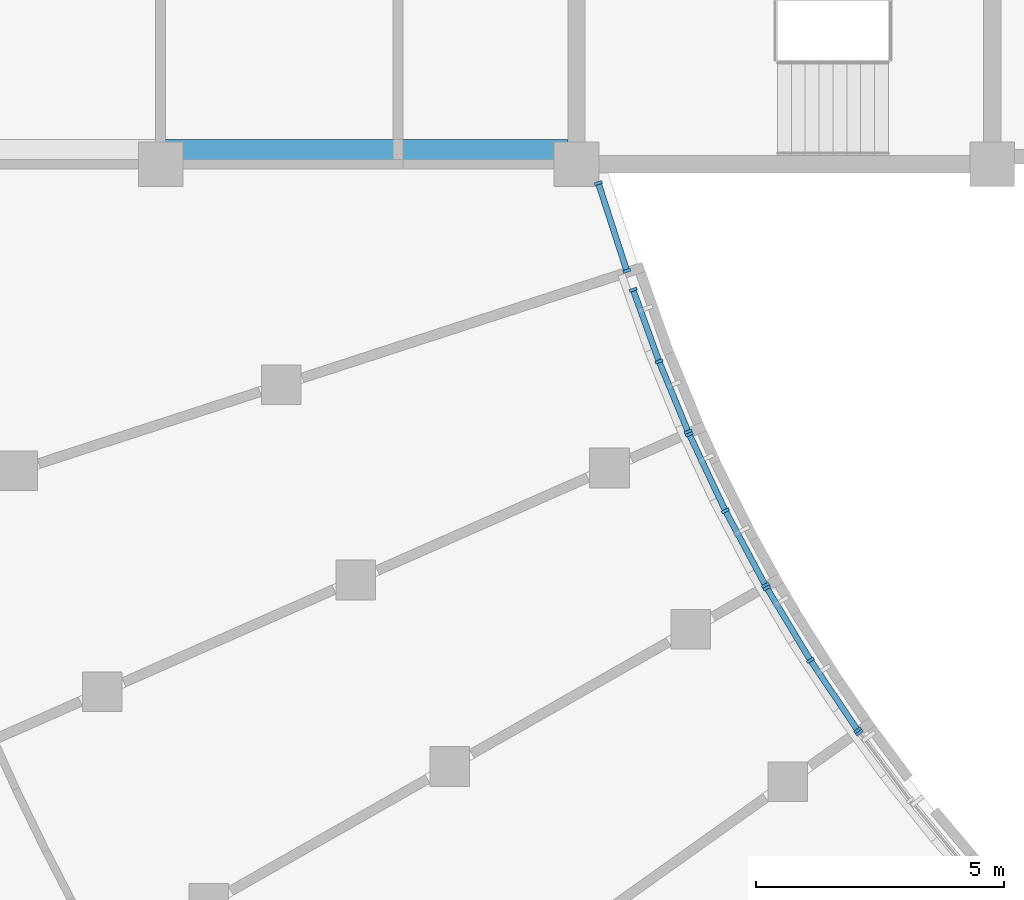
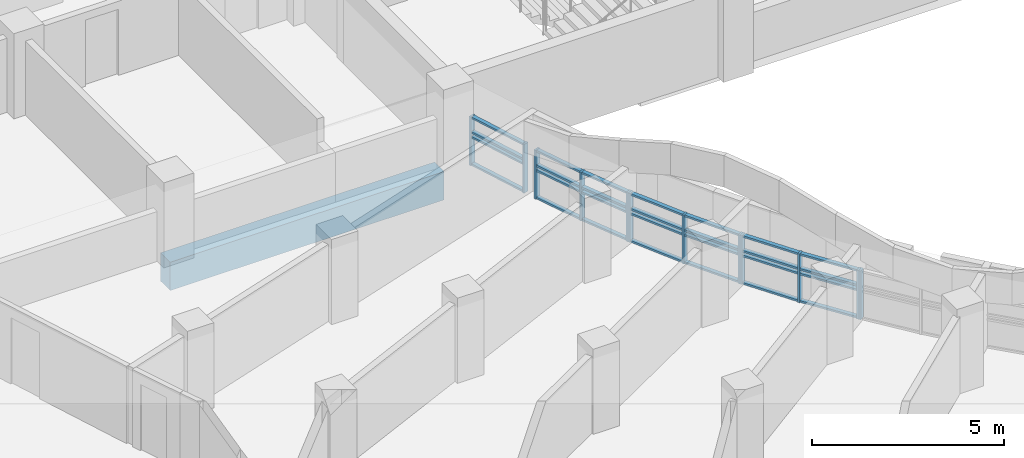
# One storey, part 14 of 89: 40 members, 1 beam, 5 elements without a shape of their own.
"""IFC4 building model written with IfcOpenShell, lengths in metres."""

import ifcopenshell
import ifcopenshell.guid

model = None  # the IFC model being written
_history = None  # IfcOwnerHistory: only IFC2X3 demands one
_inside = {}  # id of a spatial element -> (the spatial element, [elements in it])
_under = {}  # id of a project, library or spatial element -> (it, [spatial elements below it])
_declared = {}  # id of a project -> (the project, [libraries it declares])
_typed = {}  # id of a type object -> (the type object, [elements of that type])
_made_of = {}  # id of a material, layer set ... -> (it, [elements and type objects made of it])


def new_model(schema):
    """Start an empty IFC model of exactly this schema.

    Asked for "IFC4X3", IfcOpenShell would pick the latest addendum, in which some entities
    have other attributes; the version numbers below select the first issue.
    IFC2X3 requires an IfcOwnerHistory on every rooted entity: one is made here for all.
    """
    global model, _history
    if schema == "IFC4X3":
        model = ifcopenshell.file(schema_version=(4, 3, 0, 0))
    else:
        model = ifcopenshell.file(schema=schema)
    _inside.clear()
    _under.clear()
    _declared.clear()
    _typed.clear()
    _made_of.clear()
    _history = None
    if model.schema == "IFC2X3":
        org = make("IfcOrganization", Name="unknown")
        user = make(
            "IfcPersonAndOrganization",
            ThePerson=make("IfcPerson", FamilyName="unknown"),
            TheOrganization=org,
        )
        app = make(
            "IfcApplication",
            ApplicationDeveloper=org,
            Version="unknown",
            ApplicationFullName="unknown",
            ApplicationIdentifier="unknown",
        )
        _history = make(
            "IfcOwnerHistory",
            OwningUser=user,
            OwningApplication=app,
            ChangeAction="ADDED",
            CreationDate=0,
        )
    return model


def make(cls, **values):
    """One entity of the class cls with the attributes given. An attribute that is None is left unset."""
    return model.create_entity(
        cls, **{name: value for name, value in values.items() if value is not None}
    )


def rooted(cls, **values):
    """An entity with a GlobalId (a new one), such as an element, a storey or a relation."""
    return make(cls, GlobalId=ifcopenshell.guid.new(), OwnerHistory=_history, **values)


def si_unit(unit_type, name, prefix=None):
    """IfcSIUnit, for example si_unit("LENGTHUNIT", "METRE", prefix="MILLI")."""
    return make("IfcSIUnit", UnitType=unit_type, Prefix=prefix, Name=name)


def assignment(units):
    """IfcUnitAssignment: the units of a project."""
    return None if units is None else make("IfcUnitAssignment", Units=units)


def point(xyz):
    """IfcCartesianPoint."""
    return None if xyz is None else make("IfcCartesianPoint", Coordinates=xyz)


def direction(xyz):
    """IfcDirection."""
    return None if xyz is None else make("IfcDirection", DirectionRatios=xyz)


def frame(location, z_axis=None, x_axis=None):
    """IfcAxis2Placement3D, a coordinate frame: its origin and axes. An axis left out is left unset."""
    return make(
        "IfcAxis2Placement3D",
        Location=point(location),
        Axis=direction(z_axis),
        RefDirection=direction(x_axis),
    )


def frame_2d(location, x_axis=None):
    """IfcAxis2Placement2D, a coordinate frame in the plane: its origin and x axis."""
    return make(
        "IfcAxis2Placement2D", Location=point(location), RefDirection=direction(x_axis)
    )


def origin():
    """The frame at (0, 0, 0) with its axes left unset."""
    return frame((0.0, 0.0, 0.0))


def origin_2d():
    """The frame at (0, 0) in the plane with its x axis left unset."""
    return frame_2d((0.0, 0.0))


def place(relative_to, where):
    """IfcLocalPlacement: puts the frame where relative to a parent placement (None: the world)."""
    return make(
        "IfcLocalPlacement", PlacementRelTo=relative_to, RelativePlacement=where
    )


def context(
    kind, dimensions, precision=None, world=None, true_north=None, identifier=None
):
    """IfcGeometricRepresentationContext, for example the 3D "Model" context."""
    return make(
        "IfcGeometricRepresentationContext",
        ContextIdentifier=identifier,
        ContextType=kind,
        CoordinateSpaceDimension=dimensions,
        Precision=precision,
        WorldCoordinateSystem=world,
        TrueNorth=true_north,
    )


def subcontext(parent, identifier, kind, view, scale=None):
    """IfcGeometricRepresentationSubContext, for example "Body" below "Model"."""
    return make(
        "IfcGeometricRepresentationSubContext",
        ContextIdentifier=identifier,
        ContextType=kind,
        ParentContext=parent,
        TargetScale=scale,
        TargetView=view,
    )


def project(units=None, contexts=None):
    """IfcProject with its units and contexts."""
    return rooted(
        "IfcProject",
        Name="project",
        RepresentationContexts=contexts,
        UnitsInContext=assignment(units),
    )


def spatial(cls, under=None, at=None, **own):
    """A site, building, storey or space (cls), placed at a placement, below another one or the project."""
    s = rooted(cls, ObjectPlacement=at, **own)
    if under is not None:
        _under.setdefault(under.id(), (under, []))[1].append(s)
    return s


def profile(cls, at=None, kind="AREA", **sizes):
    """A parametric profile (cls). Its sizes go by their IFC names, for example OverallWidth=200.0."""
    return make(cls, ProfileType=kind, Position=at, **sizes)


def rectangle(**sizes):
    """IfcRectangleProfileDef."""
    return profile("IfcRectangleProfileDef", **sizes)


def extrude(swept, where, along, depth):
    """IfcExtrudedAreaSolid: the profile swept, set in the frame where, extruded along a direction by depth."""
    return make(
        "IfcExtrudedAreaSolid",
        SweptArea=swept,
        Position=where,
        ExtrudedDirection=direction(along),
        Depth=depth,
    )


def shape(context_of_items, identifier, shape_type, items):
    """IfcShapeRepresentation: the items that make up one representation, for example the "Body"."""
    return make(
        "IfcShapeRepresentation",
        ContextOfItems=context_of_items,
        RepresentationIdentifier=identifier,
        RepresentationType=shape_type,
        Items=items,
    )


def material(Name=None, Category=None):
    """IfcMaterial."""
    return make("IfcMaterial", Name=Name, Category=Category)


def material_profile(
    of_material, cross_section, Name=None, Category=None, Priority=None
):
    """IfcMaterialProfile: a cross section and its material."""
    return make(
        "IfcMaterialProfile",
        Name=Name,
        Material=of_material,
        Profile=cross_section,
        Priority=Priority,
        Category=Category,
    )


def profile_set(profiles, Name=None, composite=None):
    """IfcMaterialProfileSet."""
    return make(
        "IfcMaterialProfileSet",
        Name=Name,
        MaterialProfiles=profiles,
        CompositeProfile=composite,
    )


def made_of(thing, what):
    """Note that an element or type object is made of a material, layer set ...; save() writes the relation."""
    if what is not None:
        _made_of.setdefault(what.id(), (what, []))[1].append(thing)
    return thing


def type_object(cls, material=None, **own):
    """A type object (cls), such as IfcWallType, which elements share."""
    return made_of(rooted(cls, **own), material)


def element(
    cls,
    number,
    at=None,
    inside=None,
    cuts=None,
    type_object=None,
    material=None,
    context=None,
    identifier="Body",
    shape_type=None,
    held_by="IfcProductDefinitionShape",
    body=None,
    shapes=None,
    **own,
):
    """One element of the class cls, such as IfcWall. Its Tag is "e" and its number.

    at: its placement. inside: the storey or other place that contains it. cuts: it is an
    opening in that element (IfcRelVoidsElement). A single representation is given by context,
    identifier, shape_type and body (its items); several are given by shapes. held_by: the class
    of the entity that holds the representations. save() writes the other relations.
    """
    e = rooted(cls, Tag="e%d" % number, ObjectPlacement=at, **own)
    if body is not None:
        shapes = [shape(context, identifier, shape_type, body)]
    if shapes is not None:
        e.Representation = make(held_by, Representations=shapes)
    if inside is not None:
        _inside.setdefault(inside.id(), (inside, []))[1].append(e)
    if cuts is not None:
        rooted(
            "IfcRelVoidsElement", RelatingBuildingElement=cuts, RelatedOpeningElement=e
        )
    if type_object is not None:
        _typed.setdefault(type_object.id(), (type_object, []))[1].append(e)
    return made_of(e, material)


def aggregate(whole, parts):
    """IfcRelAggregates: a whole, such as a stair, and the parts it consists of."""
    return rooted("IfcRelAggregates", RelatingObject=whole, RelatedObjects=parts)


def save(model, path):
    """Write the relations noted so far, then the file.

    IfcRelAggregates (storeys below a building ...), IfcRelContainedInSpatialStructure (elements
    in a storey), IfcRelDefinesByType, IfcRelAssociatesMaterial and IfcRelDeclares: one each for
    every whole, place, type object, material and project.
    """
    for whole, parts in _under.values():
        aggregate(whole, parts)
    for where, things in _inside.values():
        rooted(
            "IfcRelContainedInSpatialStructure",
            RelatedElements=things,
            RelatingStructure=where,
        )
    for kind, things in _typed.values():
        rooted("IfcRelDefinesByType", RelatedObjects=things, RelatingType=kind)
    for what, things in _made_of.values():
        rooted("IfcRelAssociatesMaterial", RelatedObjects=things, RelatingMaterial=what)
    for by, libraries in _declared.values():
        rooted("IfcRelDeclares", RelatingContext=by, RelatedDefinitions=libraries)
    model.write(path)


model = new_model("IFC4")

# Units and contexts
model_context = context("Model", 3, precision=1e-05, world=origin(), true_north=direction((0.0, 1.0)))
body_context = subcontext(model_context, "Body", "Model", "MODEL_VIEW")
ifc_project = project(units=[si_unit("LENGTHUNIT", "METRE"), si_unit("AREAUNIT", "SQUARE_METRE"), si_unit("VOLUMEUNIT", "CUBIC_METRE"), si_unit("PLANEANGLEUNIT", "RADIAN"), si_unit("MASSUNIT", "GRAM", prefix="KILO")], contexts=[model_context])

# Site, building, storey
site_placement = place(None, origin())
site = spatial("IfcSite", under=ifc_project, at=site_placement, CompositionType="ELEMENT")
building_placement = place(site_placement, origin())
building = spatial("IfcBuilding", under=site, at=building_placement, Name="Bougainvillea Quay General Hospital", CompositionType="ELEMENT")
storey_placement = place(building_placement, frame((0.0, 0.0, 9.89990234375)))
storey = spatial("IfcBuildingStorey", under=building, at=storey_placement, Name="L01M", CompositionType="ELEMENT", Elevation=9.89990234375)

# Curtain wall, member
ifc_material_1 = material(Name="Aluminium curtain wall system, powder-coated glazed", Category="aluminium")
curtain_wall_type_1 = type_object("IfcCurtainWallType", Name="Unitised curtain wall CW-2100", PredefinedType="NOTDEFINED", material=ifc_material_1)
curtain_wall_1_placement = place(storey_placement, origin())
curtain_wall_1 = element("IfcCurtainWall", 1, at=curtain_wall_1_placement, inside=storey, type_object=curtain_wall_type_1, Name="CW-W05 a03b4", PredefinedType="NOTDEFINED")
ifc_material_2 = material(Name="Aluminium mullion, powder-coated charcoal", Category="aluminium")
ifc_material_profile_1 = material_profile(ifc_material_2, rectangle(XDim=0.159912109375, YDim=0.06005859375, at=origin_2d()))
ifc_profile_set_1 = profile_set([ifc_material_profile_1], Name="Aluminium mullion, powder-coated charcoal")
member_type_1 = type_object("IfcMemberType", Name="Curtain wall mullion 160x60", PredefinedType="MULLION", material=ifc_profile_set_1)
member_1_placement = place(storey_placement, frame((81.313720703125, 106.1162109375, 0.0), z_axis=(0.0, 0.0, 1.0), x_axis=(-0.799758007688, -0.600322520933, 0.0)))
member_1 = element("IfcMember", 2, at=member_1_placement, type_object=member_type_1, Name="CW-W05 mullion 3", PredefinedType="MULLION", context=body_context, shape_type="SweptSolid", body=[
    extrude(rectangle(XDim=0.159912109375, YDim=0.06005859375, at=origin_2d()), origin(), (0.0, 0.0, 1.0), 1.550048828125),
])
aggregate(curtain_wall_1, [member_1])

# Curtain wall, members
curtain_wall_2_placement = place(storey_placement, origin())
curtain_wall_2 = element("IfcCurtainWall", 3, at=curtain_wall_2_placement, inside=storey, type_object=curtain_wall_type_1, Name="CW-W06 a03b5", PredefinedType="NOTDEFINED")
member_2_placement = place(storey_placement, frame((81.279052734375, 106.1650390625, 0.0), z_axis=(0.0, 0.0, 1.0), x_axis=(-0.82916442806, -0.55900478642, 0.0)))
member_2 = element("IfcMember", 4, at=member_2_placement, type_object=member_type_1, Name="CW-W06 mullion 1", PredefinedType="MULLION", context=body_context, shape_type="SweptSolid", body=[
    extrude(rectangle(XDim=0.159912109375, YDim=0.06005859375, at=origin_2d()), origin(), (0.0, 0.0, 1.0), 1.550048828125),
])
member_3_placement = place(storey_placement, frame((80.32470703125, 107.580322265625, 0.0), z_axis=(0.0, 0.0, 1.0), x_axis=(-0.843072457331, -0.537799992275, 0.0)))
member_3 = element("IfcMember", 5, at=member_3_placement, type_object=member_type_1, Name="CW-W06 mullion 2", PredefinedType="MULLION", context=body_context, shape_type="SweptSolid", body=[
    extrude(rectangle(XDim=0.159912109375, YDim=0.06005859375, at=origin_2d()), origin(), (0.0, 0.0, 1.0), 1.550048828125),
])
member_4_placement = place(storey_placement, frame((79.443603515625, 109.042236328125, 0.0), z_axis=(0.0, 0.0, 1.0), x_axis=(-0.856438326455, -0.516249351553, 0.0)))
member_4 = element("IfcMember", 6, at=member_4_placement, type_object=member_type_1, Name="CW-W06 mullion 3", PredefinedType="MULLION", context=body_context, shape_type="SweptSolid", body=[
    extrude(rectangle(XDim=0.159912109375, YDim=0.06005859375, at=origin_2d()), origin(), (0.0, 0.0, 1.0), 1.550048828125),
])

curtain_wall_3_placement = place(storey_placement, origin())
curtain_wall_3 = element("IfcCurtainWall", 7, at=curtain_wall_3_placement, inside=storey, type_object=curtain_wall_type_1, Name="CW-W07 a03b6", PredefinedType="NOTDEFINED")
member_5_placement = place(storey_placement, frame((79.4140625, 109.094482421875, 0.0), z_axis=(0.0, 0.0, 1.0), x_axis=(-0.881509557333, -0.472166178724, 0.0)))
member_5 = element("IfcMember", 8, at=member_5_placement, type_object=member_type_1, Name="CW-W07 mullion 1", PredefinedType="MULLION", context=body_context, shape_type="SweptSolid", body=[
    extrude(rectangle(XDim=0.159912109375, YDim=0.06005859375, at=origin_2d()), origin(), (0.0, 0.0, 1.0), 1.550048828125),
])
member_6_placement = place(storey_placement, frame((78.60791015625, 110.59912109375, 0.0), z_axis=(0.0, 0.0, 1.0), x_axis=(-0.893198796365, -0.449661995473, 0.0)))
member_6 = element("IfcMember", 9, at=member_6_placement, type_object=member_type_1, Name="CW-W07 mullion 2", PredefinedType="MULLION", context=body_context, shape_type="SweptSolid", body=[
    extrude(rectangle(XDim=0.159912109375, YDim=0.06005859375, at=origin_2d()), origin(), (0.0, 0.0, 1.0), 1.550048828125),
])
member_7_placement = place(storey_placement, frame((77.87939453125, 112.142822265625, 0.0), z_axis=(0.0, 0.0, 1.0), x_axis=(-0.904313640176, -0.426868645126, 0.0)))
member_7 = element("IfcMember", 10, at=member_7_placement, type_object=member_type_1, Name="CW-W07 mullion 3", PredefinedType="MULLION", context=body_context, shape_type="SweptSolid", body=[
    extrude(rectangle(XDim=0.159912109375, YDim=0.06005859375, at=origin_2d()), origin(), (0.0, 0.0, 1.0), 1.550048828125),
])

curtain_wall_4_placement = place(storey_placement, origin())
curtain_wall_4 = element("IfcCurtainWall", 11, at=curtain_wall_4_placement, inside=storey, type_object=curtain_wall_type_1, Name="CW-W08 a03b7", PredefinedType="NOTDEFINED")
member_8_placement = place(storey_placement, frame((77.85498046875, 112.197509765625, 0.0), z_axis=(0.0, 0.0, 1.0), x_axis=(-0.923843470036, -0.382770483282, 0.0)))
member_8 = element("IfcMember", 12, at=member_8_placement, type_object=member_type_1, Name="CW-W08 mullion 1", PredefinedType="MULLION", context=body_context, shape_type="SweptSolid", body=[
    extrude(rectangle(XDim=0.159912109375, YDim=0.06005859375, at=origin_2d()), origin(), (0.0, 0.0, 1.0), 1.550048828125),
])
member_9_placement = place(storey_placement, frame((77.266845703125, 113.6171875, 0.0), z_axis=(0.0, 0.0, 1.0), x_axis=(-0.932356633806, -0.361539911211, 0.0)))
member_9 = element("IfcMember", 13, at=member_9_placement, type_object=member_type_1, Name="CW-W08 mullion 2", PredefinedType="MULLION", context=body_context, shape_type="SweptSolid", body=[
    extrude(rectangle(XDim=0.159912109375, YDim=0.06005859375, at=origin_2d()), origin(), (0.0, 0.0, 1.0), 1.550048828125),
])
member_10_placement = place(storey_placement, frame((76.744140625, 115.0625, 0.0), z_axis=(0.0, 0.0, 1.0), x_axis=(-0.940381978185, -0.340120177444, 0.0)))
member_10 = element("IfcMember", 14, at=member_10_placement, type_object=member_type_1, Name="CW-W08 mullion 3", PredefinedType="MULLION", context=body_context, shape_type="SweptSolid", body=[
    extrude(rectangle(XDim=0.159912109375, YDim=0.06005859375, at=origin_2d()), origin(), (0.0, 0.0, 1.0), 1.550048828125),
])

curtain_wall_type_2 = type_object("IfcCurtainWallType", Name="Unitised curtain wall CW-1925", PredefinedType="NOTDEFINED", material=ifc_material_1)
curtain_wall_5_placement = place(storey_placement, origin())
curtain_wall_5 = element("IfcCurtainWall", 15, at=curtain_wall_5_placement, inside=storey, type_object=curtain_wall_type_2, Name="CW-AE 00", PredefinedType="NOTDEFINED")
member_11_placement = place(storey_placement, frame((76.616943359375, 115.4443359375, 0.0), z_axis=(0.0, 0.0, 1.0), x_axis=(-0.951071619809, -0.308970506674, 0.0)))
member_11 = element("IfcMember", 16, at=member_11_placement, type_object=member_type_1, Name="CW-AE mullion 1", PredefinedType="MULLION", context=body_context, shape_type="SweptSolid", body=[
    extrude(rectangle(XDim=0.159912109375, YDim=0.06005859375, at=origin_2d()), origin(), (0.0, 0.0, 1.0), 1.550048828125),
])
member_12_placement = place(storey_placement, frame((76.041015625, 117.217529296875, 0.0), z_axis=(0.0, 0.0, 1.0), x_axis=(-0.951071619809, -0.308970506674, 0.0)))
member_12 = element("IfcMember", 17, at=member_12_placement, type_object=member_type_1, Name="CW-AE mullion 2", PredefinedType="MULLION", context=body_context, shape_type="SweptSolid", body=[
    extrude(rectangle(XDim=0.159912109375, YDim=0.06005859375, at=origin_2d()), origin(), (0.0, 0.0, 1.0), 1.550048828125),
])

# Member
ifc_material_3 = material(Name="Aluminium transom, powder-coated charcoal", Category="aluminium")
ifc_material_profile_2 = material_profile(ifc_material_3, rectangle(XDim=0.1201171875, YDim=0.06005859375, at=origin_2d()))
ifc_profile_set_2 = profile_set([ifc_material_profile_2], Name="Aluminium transom, powder-coated charcoal")
member_type_2 = type_object("IfcMemberType", Name="Curtain wall transom 120x60", PredefinedType="USERDEFINED", material=ifc_profile_set_2)
member_13_placement = place(storey_placement, frame((81.26220703125, 106.18994140625, 0.030029296875), z_axis=(-0.559037395343, 0.829142442894, 0.0), x_axis=(-0.829142442894, -0.559037395343, 0.0)))
member_13 = element("IfcMember", 18, at=member_13_placement, type_object=member_type_2, Name="CW-W06 transom 1.1", ObjectType="TRANSOM", PredefinedType="USERDEFINED", context=body_context, shape_type="SweptSolid", body=[
    extrude(rectangle(XDim=0.1201171875, YDim=0.06005859375, at=origin_2d()), origin(), (0.0, 0.0, 1.0), 1.64697265625),
])

member_14_placement = place(storey_placement, frame((81.26220703125, 106.18994140625, 0.900146484375), z_axis=(-0.559037395343, 0.829142442894, 0.0), x_axis=(-0.829142442894, -0.559037395343, 0.0)))
member_14 = element("IfcMember", 19, at=member_14_placement, type_object=member_type_2, Name="CW-W06 transom 1.2", ObjectType="TRANSOM", PredefinedType="USERDEFINED", context=body_context, shape_type="SweptSolid", body=[
    extrude(rectangle(XDim=0.1201171875, YDim=0.06005859375, at=origin_2d()), origin(), (0.0, 0.0, 1.0), 1.64697265625),
])

member_15_placement = place(storey_placement, frame((81.26220703125, 106.18994140625, 1.050048828125), z_axis=(-0.559037395343, 0.829142442894, 0.0), x_axis=(-0.829142442894, -0.559037395343, 0.0)))
member_15 = element("IfcMember", 20, at=member_15_placement, type_object=member_type_2, Name="CW-W06 transom 1.3", ObjectType="TRANSOM", PredefinedType="USERDEFINED", context=body_context, shape_type="SweptSolid", body=[
    extrude(rectangle(XDim=0.1201171875, YDim=0.06005859375, at=origin_2d()), origin(), (0.0, 0.0, 1.0), 1.64697265625),
])

member_16_placement = place(storey_placement, frame((81.26220703125, 106.18994140625, 1.52001953125), z_axis=(-0.559037395343, 0.829142442894, 0.0), x_axis=(-0.829142442894, -0.559037395343, 0.0)))
member_16 = element("IfcMember", 21, at=member_16_placement, type_object=member_type_2, Name="CW-W06 transom 1.4", ObjectType="TRANSOM", PredefinedType="USERDEFINED", context=body_context, shape_type="SweptSolid", body=[
    extrude(rectangle(XDim=0.1201171875, YDim=0.06005859375, at=origin_2d()), origin(), (0.0, 0.0, 1.0), 1.64697265625),
])

member_17_placement = place(storey_placement, frame((80.309326171875, 107.606201171875, 0.030029296875), z_axis=(-0.516217069017, 0.856457785098, 0.0), x_axis=(-0.856457785098, -0.516217069017, 0.0)))
member_17 = element("IfcMember", 22, at=member_17_placement, type_object=member_type_2, Name="CW-W06 transom 2.1", ObjectType="TRANSOM", PredefinedType="USERDEFINED", context=body_context, shape_type="SweptSolid", body=[
    extrude(rectangle(XDim=0.1201171875, YDim=0.06005859375, at=origin_2d()), origin(), (0.0, 0.0, 1.0), 1.646728515625),
])

member_18_placement = place(storey_placement, frame((80.309326171875, 107.606201171875, 0.900146484375), z_axis=(-0.516217069017, 0.856457785098, 0.0), x_axis=(-0.856457785098, -0.516217069017, 0.0)))
member_18 = element("IfcMember", 23, at=member_18_placement, type_object=member_type_2, Name="CW-W06 transom 2.2", ObjectType="TRANSOM", PredefinedType="USERDEFINED", context=body_context, shape_type="SweptSolid", body=[
    extrude(rectangle(XDim=0.1201171875, YDim=0.06005859375, at=origin_2d()), origin(), (0.0, 0.0, 1.0), 1.646728515625),
])

member_19_placement = place(storey_placement, frame((80.309326171875, 107.606201171875, 1.050048828125), z_axis=(-0.516217069017, 0.856457785098, 0.0), x_axis=(-0.856457785098, -0.516217069017, 0.0)))
member_19 = element("IfcMember", 24, at=member_19_placement, type_object=member_type_2, Name="CW-W06 transom 2.3", ObjectType="TRANSOM", PredefinedType="USERDEFINED", context=body_context, shape_type="SweptSolid", body=[
    extrude(rectangle(XDim=0.1201171875, YDim=0.06005859375, at=origin_2d()), origin(), (0.0, 0.0, 1.0), 1.646728515625),
])

member_20_placement = place(storey_placement, frame((80.309326171875, 107.606201171875, 1.52001953125), z_axis=(-0.516217069017, 0.856457785098, 0.0), x_axis=(-0.856457785098, -0.516217069017, 0.0)))
member_20 = element("IfcMember", 25, at=member_20_placement, type_object=member_type_2, Name="CW-W06 transom 2.4", ObjectType="TRANSOM", PredefinedType="USERDEFINED", context=body_context, shape_type="SweptSolid", body=[
    extrude(rectangle(XDim=0.1201171875, YDim=0.06005859375, at=origin_2d()), origin(), (0.0, 0.0, 1.0), 1.646728515625),
])

aggregate(curtain_wall_2, [member_2, member_3, member_4, member_13, member_14, member_15, member_16, member_17, member_18, member_19, member_20])

member_21_placement = place(storey_placement, frame((79.39990234375, 109.120849609375, 0.030029296875), z_axis=(-0.472233752021, 0.881473359468, 0.0), x_axis=(-0.881473359468, -0.472233752021, 0.0)))
member_21 = element("IfcMember", 26, at=member_21_placement, type_object=member_type_2, Name="CW-W07 transom 1.1", ObjectType="TRANSOM", PredefinedType="USERDEFINED", context=body_context, shape_type="SweptSolid", body=[
    extrude(rectangle(XDim=0.1201171875, YDim=0.06005859375, at=origin_2d()), origin(), (0.0, 0.0, 1.0), 1.647216796875),
])

member_22_placement = place(storey_placement, frame((79.39990234375, 109.120849609375, 0.900146484375), z_axis=(-0.472233752021, 0.881473359468, 0.0), x_axis=(-0.881473359468, -0.472233752021, 0.0)))
member_22 = element("IfcMember", 27, at=member_22_placement, type_object=member_type_2, Name="CW-W07 transom 1.2", ObjectType="TRANSOM", PredefinedType="USERDEFINED", context=body_context, shape_type="SweptSolid", body=[
    extrude(rectangle(XDim=0.1201171875, YDim=0.06005859375, at=origin_2d()), origin(), (0.0, 0.0, 1.0), 1.647216796875),
])

member_23_placement = place(storey_placement, frame((79.39990234375, 109.120849609375, 1.050048828125), z_axis=(-0.472233752021, 0.881473359468, 0.0), x_axis=(-0.881473359468, -0.472233752021, 0.0)))
member_23 = element("IfcMember", 28, at=member_23_placement, type_object=member_type_2, Name="CW-W07 transom 1.3", ObjectType="TRANSOM", PredefinedType="USERDEFINED", context=body_context, shape_type="SweptSolid", body=[
    extrude(rectangle(XDim=0.1201171875, YDim=0.06005859375, at=origin_2d()), origin(), (0.0, 0.0, 1.0), 1.647216796875),
])

member_24_placement = place(storey_placement, frame((79.39990234375, 109.120849609375, 1.52001953125), z_axis=(-0.472233752021, 0.881473359468, 0.0), x_axis=(-0.881473359468, -0.472233752021, 0.0)))
member_24 = element("IfcMember", 29, at=member_24_placement, type_object=member_type_2, Name="CW-W07 transom 1.4", ObjectType="TRANSOM", PredefinedType="USERDEFINED", context=body_context, shape_type="SweptSolid", body=[
    extrude(rectangle(XDim=0.1201171875, YDim=0.06005859375, at=origin_2d()), origin(), (0.0, 0.0, 1.0), 1.647216796875),
])

member_25_placement = place(storey_placement, frame((78.59521484375, 110.626220703125, 0.030029296875), z_axis=(-0.426938963693, 0.904280443934, 0.0), x_axis=(-0.904280443934, -0.426938963693, 0.0)))
member_25 = element("IfcMember", 30, at=member_25_placement, type_object=member_type_2, Name="CW-W07 transom 2.1", ObjectType="TRANSOM", PredefinedType="USERDEFINED", context=body_context, shape_type="SweptSolid", body=[
    extrude(rectangle(XDim=0.1201171875, YDim=0.06005859375, at=origin_2d()), origin(), (0.0, 0.0, 1.0), 1.64697265625),
])

member_26_placement = place(storey_placement, frame((78.59521484375, 110.626220703125, 0.900146484375), z_axis=(-0.426938963693, 0.904280443934, 0.0), x_axis=(-0.904280443934, -0.426938963693, 0.0)))
member_26 = element("IfcMember", 31, at=member_26_placement, type_object=member_type_2, Name="CW-W07 transom 2.2", ObjectType="TRANSOM", PredefinedType="USERDEFINED", context=body_context, shape_type="SweptSolid", body=[
    extrude(rectangle(XDim=0.1201171875, YDim=0.06005859375, at=origin_2d()), origin(), (0.0, 0.0, 1.0), 1.64697265625),
])

member_27_placement = place(storey_placement, frame((78.59521484375, 110.626220703125, 1.050048828125), z_axis=(-0.426938963693, 0.904280443934, 0.0), x_axis=(-0.904280443934, -0.426938963693, 0.0)))
member_27 = element("IfcMember", 32, at=member_27_placement, type_object=member_type_2, Name="CW-W07 transom 2.3", ObjectType="TRANSOM", PredefinedType="USERDEFINED", context=body_context, shape_type="SweptSolid", body=[
    extrude(rectangle(XDim=0.1201171875, YDim=0.06005859375, at=origin_2d()), origin(), (0.0, 0.0, 1.0), 1.64697265625),
])

member_28_placement = place(storey_placement, frame((78.59521484375, 110.626220703125, 1.52001953125), z_axis=(-0.426938963693, 0.904280443934, 0.0), x_axis=(-0.904280443934, -0.426938963693, 0.0)))
member_28 = element("IfcMember", 33, at=member_28_placement, type_object=member_type_2, Name="CW-W07 transom 2.4", ObjectType="TRANSOM", PredefinedType="USERDEFINED", context=body_context, shape_type="SweptSolid", body=[
    extrude(rectangle(XDim=0.1201171875, YDim=0.06005859375, at=origin_2d()), origin(), (0.0, 0.0, 1.0), 1.64697265625),
])

aggregate(curtain_wall_3, [member_5, member_6, member_7, member_21, member_22, member_23, member_24, member_25, member_26, member_27, member_28])

member_29_placement = place(storey_placement, frame((77.843505859375, 112.225341796875, 0.030029296875), z_axis=(-0.382736296067, 0.923857633877, 0.0), x_axis=(-0.923857633877, -0.382736296067, 0.0)))
member_29 = element("IfcMember", 34, at=member_29_placement, type_object=member_type_2, Name="CW-W08 transom 1.1", ObjectType="TRANSOM", PredefinedType="USERDEFINED", context=body_context, shape_type="SweptSolid", body=[
    extrude(rectangle(XDim=0.1201171875, YDim=0.06005859375, at=origin_2d()), origin(), (0.0, 0.0, 1.0), 1.476806640625),
])

member_30_placement = place(storey_placement, frame((77.843505859375, 112.225341796875, 0.900146484375), z_axis=(-0.382736296067, 0.923857633877, 0.0), x_axis=(-0.923857633877, -0.382736296067, 0.0)))
member_30 = element("IfcMember", 35, at=member_30_placement, type_object=member_type_2, Name="CW-W08 transom 1.2", ObjectType="TRANSOM", PredefinedType="USERDEFINED", context=body_context, shape_type="SweptSolid", body=[
    extrude(rectangle(XDim=0.1201171875, YDim=0.06005859375, at=origin_2d()), origin(), (0.0, 0.0, 1.0), 1.476806640625),
])

member_31_placement = place(storey_placement, frame((77.843505859375, 112.225341796875, 1.050048828125), z_axis=(-0.382736296067, 0.923857633877, 0.0), x_axis=(-0.923857633877, -0.382736296067, 0.0)))
member_31 = element("IfcMember", 36, at=member_31_placement, type_object=member_type_2, Name="CW-W08 transom 1.3", ObjectType="TRANSOM", PredefinedType="USERDEFINED", context=body_context, shape_type="SweptSolid", body=[
    extrude(rectangle(XDim=0.1201171875, YDim=0.06005859375, at=origin_2d()), origin(), (0.0, 0.0, 1.0), 1.476806640625),
])

member_32_placement = place(storey_placement, frame((77.843505859375, 112.225341796875, 1.52001953125), z_axis=(-0.382736296067, 0.923857633877, 0.0), x_axis=(-0.923857633877, -0.382736296067, 0.0)))
member_32 = element("IfcMember", 37, at=member_32_placement, type_object=member_type_2, Name="CW-W08 transom 1.4", ObjectType="TRANSOM", PredefinedType="USERDEFINED", context=body_context, shape_type="SweptSolid", body=[
    extrude(rectangle(XDim=0.1201171875, YDim=0.06005859375, at=origin_2d()), origin(), (0.0, 0.0, 1.0), 1.476806640625),
])

member_33_placement = place(storey_placement, frame((77.256591796875, 113.6455078125, 0.030029296875), z_axis=(-0.340083199438, 0.940395351679, 0.0), x_axis=(-0.940395351679, -0.340083199438, 0.0)))
member_33 = element("IfcMember", 38, at=member_33_placement, type_object=member_type_2, Name="CW-W08 transom 2.1", ObjectType="TRANSOM", PredefinedType="USERDEFINED", context=body_context, shape_type="SweptSolid", body=[
    extrude(rectangle(XDim=0.1201171875, YDim=0.06005859375, at=origin_2d()), origin(), (0.0, 0.0, 1.0), 1.476806640625),
])

member_34_placement = place(storey_placement, frame((77.256591796875, 113.6455078125, 0.900146484375), z_axis=(-0.340083199438, 0.940395351679, 0.0), x_axis=(-0.940395351679, -0.340083199438, 0.0)))
member_34 = element("IfcMember", 39, at=member_34_placement, type_object=member_type_2, Name="CW-W08 transom 2.2", ObjectType="TRANSOM", PredefinedType="USERDEFINED", context=body_context, shape_type="SweptSolid", body=[
    extrude(rectangle(XDim=0.1201171875, YDim=0.06005859375, at=origin_2d()), origin(), (0.0, 0.0, 1.0), 1.476806640625),
])

member_35_placement = place(storey_placement, frame((77.256591796875, 113.6455078125, 1.050048828125), z_axis=(-0.340083199438, 0.940395351679, 0.0), x_axis=(-0.940395351679, -0.340083199438, 0.0)))
member_35 = element("IfcMember", 40, at=member_35_placement, type_object=member_type_2, Name="CW-W08 transom 2.3", ObjectType="TRANSOM", PredefinedType="USERDEFINED", context=body_context, shape_type="SweptSolid", body=[
    extrude(rectangle(XDim=0.1201171875, YDim=0.06005859375, at=origin_2d()), origin(), (0.0, 0.0, 1.0), 1.476806640625),
])

member_36_placement = place(storey_placement, frame((77.256591796875, 113.6455078125, 1.52001953125), z_axis=(-0.340083199438, 0.940395351679, 0.0), x_axis=(-0.940395351679, -0.340083199438, 0.0)))
member_36 = element("IfcMember", 41, at=member_36_placement, type_object=member_type_2, Name="CW-W08 transom 2.4", ObjectType="TRANSOM", PredefinedType="USERDEFINED", context=body_context, shape_type="SweptSolid", body=[
    extrude(rectangle(XDim=0.1201171875, YDim=0.06005859375, at=origin_2d()), origin(), (0.0, 0.0, 1.0), 1.476806640625),
])

aggregate(curtain_wall_4, [member_8, member_9, member_10, member_29, member_30, member_31, member_32, member_33, member_34, member_35, member_36])

member_37_placement = place(storey_placement, frame((76.607666015625, 115.472900390625, 0.030029296875), z_axis=(-0.308911671582, 0.951090731298, 0.0), x_axis=(-0.951090731298, -0.308911671582, 0.0)))
member_37 = element("IfcMember", 42, at=member_37_placement, type_object=member_type_2, Name="CW-AE transom 1.1", ObjectType="TRANSOM", PredefinedType="USERDEFINED", context=body_context, shape_type="SweptSolid", body=[
    extrude(rectangle(XDim=0.1201171875, YDim=0.06005859375, at=origin_2d()), origin(), (0.0, 0.0, 1.0), 1.80419921875),
])

member_38_placement = place(storey_placement, frame((76.607666015625, 115.472900390625, 0.900146484375), z_axis=(-0.308911671582, 0.951090731298, 0.0), x_axis=(-0.951090731298, -0.308911671582, 0.0)))
member_38 = element("IfcMember", 43, at=member_38_placement, type_object=member_type_2, Name="CW-AE transom 1.2", ObjectType="TRANSOM", PredefinedType="USERDEFINED", context=body_context, shape_type="SweptSolid", body=[
    extrude(rectangle(XDim=0.1201171875, YDim=0.06005859375, at=origin_2d()), origin(), (0.0, 0.0, 1.0), 1.80419921875),
])

member_39_placement = place(storey_placement, frame((76.607666015625, 115.472900390625, 1.050048828125), z_axis=(-0.308911671582, 0.951090731298, 0.0), x_axis=(-0.951090731298, -0.308911671582, 0.0)))
member_39 = element("IfcMember", 44, at=member_39_placement, type_object=member_type_2, Name="CW-AE transom 1.3", ObjectType="TRANSOM", PredefinedType="USERDEFINED", context=body_context, shape_type="SweptSolid", body=[
    extrude(rectangle(XDim=0.1201171875, YDim=0.06005859375, at=origin_2d()), origin(), (0.0, 0.0, 1.0), 1.80419921875),
])

member_40_placement = place(storey_placement, frame((76.607666015625, 115.472900390625, 1.52001953125), z_axis=(-0.308911671582, 0.951090731298, 0.0), x_axis=(-0.951090731298, -0.308911671582, 0.0)))
member_40 = element("IfcMember", 45, at=member_40_placement, type_object=member_type_2, Name="CW-AE transom 1.4", ObjectType="TRANSOM", PredefinedType="USERDEFINED", context=body_context, shape_type="SweptSolid", body=[
    extrude(rectangle(XDim=0.1201171875, YDim=0.06005859375, at=origin_2d()), origin(), (0.0, 0.0, 1.0), 1.80419921875),
])

aggregate(curtain_wall_5, [member_11, member_12, member_37, member_38, member_39, member_40])

# Beam
ifc_material_4 = material(Name="Concrete C40", Category="concrete")
ifc_material_profile_3 = material_profile(ifc_material_4, rectangle(XDim=0.5, YDim=0.89990234375, at=origin_2d()))
ifc_profile_set_3 = profile_set([ifc_material_profile_3], Name="Concrete C40")
beam_type = type_object("IfcBeamType", Name="RC BEAM 500x900 C40", PredefinedType="BEAM", material=ifc_profile_set_3)
beam_placement = place(storey_placement, frame((67.199951171875, 117.85009765625, -0.699951171875), z_axis=(1.0, 0.0, 0.0), x_axis=(0.0, 1.0, 0.0)))
element("IfcBeam", 46, at=beam_placement, inside=storey, type_object=beam_type, Name="Edge beam L01M", PredefinedType="BEAM", context=body_context, shape_type="SweptSolid", body=[
    extrude(rectangle(XDim=0.5, YDim=0.89990234375, at=origin_2d()), origin(), (0.0, 0.0, 1.0), 8.22509765625),
])

save(model, "model.ifc")
